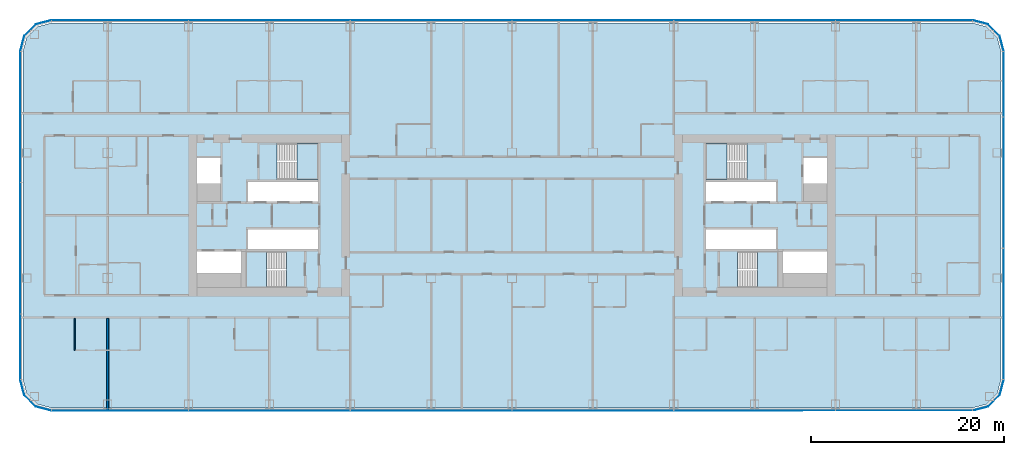
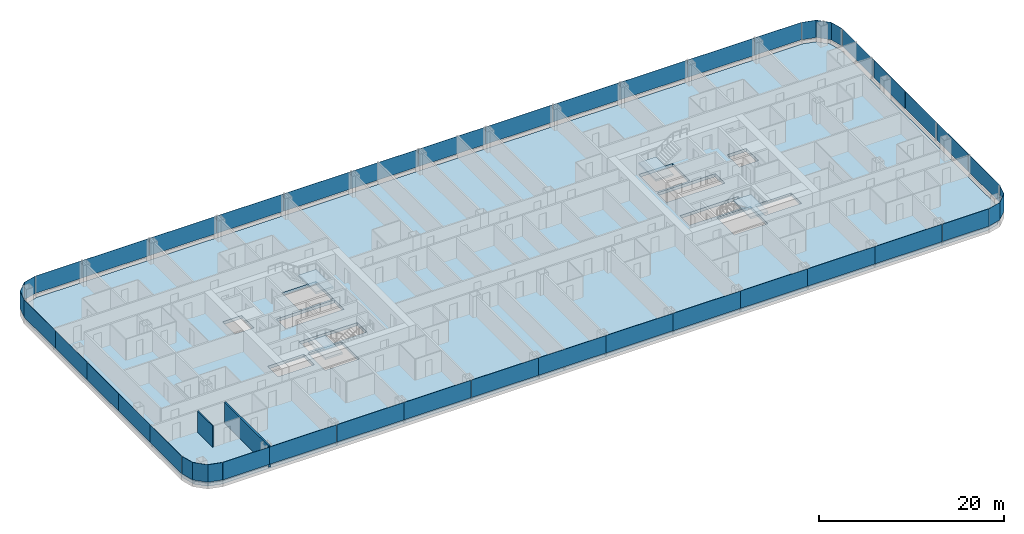
# One storey, part 12 of 28: 38 plates, 5 slabs, 2 walls, 12 elements without a shape of their own.
"""IFC4 building model written with IfcOpenShell, lengths in metres."""

import ifcopenshell
import ifcopenshell.guid

model = None  # the IFC model being written
_history = None  # IfcOwnerHistory: only IFC2X3 demands one
_inside = {}  # id of a spatial element -> (the spatial element, [elements in it])
_under = {}  # id of a project, library or spatial element -> (it, [spatial elements below it])
_declared = {}  # id of a project -> (the project, [libraries it declares])
_typed = {}  # id of a type object -> (the type object, [elements of that type])
_made_of = {}  # id of a material, layer set ... -> (it, [elements and type objects made of it])


def new_model(schema):
    """Start an empty IFC model of exactly this schema.

    Asked for "IFC4X3", IfcOpenShell would pick the latest addendum, in which some entities
    have other attributes; the version numbers below select the first issue.
    IFC2X3 requires an IfcOwnerHistory on every rooted entity: one is made here for all.
    """
    global model, _history
    if schema == "IFC4X3":
        model = ifcopenshell.file(schema_version=(4, 3, 0, 0))
    else:
        model = ifcopenshell.file(schema=schema)
    _inside.clear()
    _under.clear()
    _declared.clear()
    _typed.clear()
    _made_of.clear()
    _history = None
    if model.schema == "IFC2X3":
        org = make("IfcOrganization", Name="unknown")
        user = make(
            "IfcPersonAndOrganization",
            ThePerson=make("IfcPerson", FamilyName="unknown"),
            TheOrganization=org,
        )
        app = make(
            "IfcApplication",
            ApplicationDeveloper=org,
            Version="unknown",
            ApplicationFullName="unknown",
            ApplicationIdentifier="unknown",
        )
        _history = make(
            "IfcOwnerHistory",
            OwningUser=user,
            OwningApplication=app,
            ChangeAction="ADDED",
            CreationDate=0,
        )
    return model


def make(cls, **values):
    """One entity of the class cls with the attributes given. An attribute that is None is left unset."""
    return model.create_entity(
        cls, **{name: value for name, value in values.items() if value is not None}
    )


def rooted(cls, **values):
    """An entity with a GlobalId (a new one), such as an element, a storey or a relation."""
    return make(cls, GlobalId=ifcopenshell.guid.new(), OwnerHistory=_history, **values)


def si_unit(unit_type, name, prefix=None):
    """IfcSIUnit, for example si_unit("LENGTHUNIT", "METRE", prefix="MILLI")."""
    return make("IfcSIUnit", UnitType=unit_type, Prefix=prefix, Name=name)


def assignment(units):
    """IfcUnitAssignment: the units of a project."""
    return None if units is None else make("IfcUnitAssignment", Units=units)


def point(xyz):
    """IfcCartesianPoint."""
    return None if xyz is None else make("IfcCartesianPoint", Coordinates=xyz)


def direction(xyz):
    """IfcDirection."""
    return None if xyz is None else make("IfcDirection", DirectionRatios=xyz)


def frame(location, z_axis=None, x_axis=None):
    """IfcAxis2Placement3D, a coordinate frame: its origin and axes. An axis left out is left unset."""
    return make(
        "IfcAxis2Placement3D",
        Location=point(location),
        Axis=direction(z_axis),
        RefDirection=direction(x_axis),
    )


def frame_2d(location, x_axis=None):
    """IfcAxis2Placement2D, a coordinate frame in the plane: its origin and x axis."""
    return make(
        "IfcAxis2Placement2D", Location=point(location), RefDirection=direction(x_axis)
    )


def origin():
    """The frame at (0, 0, 0) with its axes left unset."""
    return frame((0.0, 0.0, 0.0))


def origin_2d():
    """The frame at (0, 0) in the plane with its x axis left unset."""
    return frame_2d((0.0, 0.0))


def place(relative_to, where):
    """IfcLocalPlacement: puts the frame where relative to a parent placement (None: the world)."""
    return make(
        "IfcLocalPlacement", PlacementRelTo=relative_to, RelativePlacement=where
    )


def context(
    kind, dimensions, precision=None, world=None, true_north=None, identifier=None
):
    """IfcGeometricRepresentationContext, for example the 3D "Model" context."""
    return make(
        "IfcGeometricRepresentationContext",
        ContextIdentifier=identifier,
        ContextType=kind,
        CoordinateSpaceDimension=dimensions,
        Precision=precision,
        WorldCoordinateSystem=world,
        TrueNorth=true_north,
    )


def subcontext(parent, identifier, kind, view, scale=None):
    """IfcGeometricRepresentationSubContext, for example "Body" below "Model"."""
    return make(
        "IfcGeometricRepresentationSubContext",
        ContextIdentifier=identifier,
        ContextType=kind,
        ParentContext=parent,
        TargetScale=scale,
        TargetView=view,
    )


def project(units=None, contexts=None):
    """IfcProject with its units and contexts."""
    return rooted(
        "IfcProject",
        Name="project",
        RepresentationContexts=contexts,
        UnitsInContext=assignment(units),
    )


def spatial(cls, under=None, at=None, **own):
    """A site, building, storey or space (cls), placed at a placement, below another one or the project."""
    s = rooted(cls, ObjectPlacement=at, **own)
    if under is not None:
        _under.setdefault(under.id(), (under, []))[1].append(s)
    return s


def polyline(points):
    """IfcPolyline through the points."""
    return make("IfcPolyline", Points=[point(p) for p in points])


def profile(cls, at=None, kind="AREA", **sizes):
    """A parametric profile (cls). Its sizes go by their IFC names, for example OverallWidth=200.0."""
    return make(cls, ProfileType=kind, Position=at, **sizes)


def rectangle(**sizes):
    """IfcRectangleProfileDef."""
    return profile("IfcRectangleProfileDef", **sizes)


def outline(outer, holes=None, kind="AREA"):
    """IfcArbitraryClosedProfileDef: a profile drawn as a closed curve; with holes, ...WithVoids."""
    if holes is None:
        return make("IfcArbitraryClosedProfileDef", ProfileType=kind, OuterCurve=outer)
    return make(
        "IfcArbitraryProfileDefWithVoids",
        ProfileType=kind,
        OuterCurve=outer,
        InnerCurves=holes,
    )


def extrude(swept, where, along, depth):
    """IfcExtrudedAreaSolid: the profile swept, set in the frame where, extruded along a direction by depth."""
    return make(
        "IfcExtrudedAreaSolid",
        SweptArea=swept,
        Position=where,
        ExtrudedDirection=direction(along),
        Depth=depth,
    )


def shape(context_of_items, identifier, shape_type, items):
    """IfcShapeRepresentation: the items that make up one representation, for example the "Body"."""
    return make(
        "IfcShapeRepresentation",
        ContextOfItems=context_of_items,
        RepresentationIdentifier=identifier,
        RepresentationType=shape_type,
        Items=items,
    )


def material(Name=None, Category=None):
    """IfcMaterial."""
    return make("IfcMaterial", Name=Name, Category=Category)


def layer(
    of_material, thickness, ventilated=None, Name=None, Category=None, Priority=None
):
    """IfcMaterialLayer: one layer of a wall or slab, of a material (None: an air gap)."""
    return make(
        "IfcMaterialLayer",
        Material=of_material,
        LayerThickness=thickness,
        IsVentilated=ventilated,
        Name=Name,
        Category=Category,
        Priority=Priority,
    )


def layer_set(layers, Name=None):
    """IfcMaterialLayerSet."""
    return make("IfcMaterialLayerSet", MaterialLayers=layers, LayerSetName=Name)


def made_of(thing, what):
    """Note that an element or type object is made of a material, layer set ...; save() writes the relation."""
    if what is not None:
        _made_of.setdefault(what.id(), (what, []))[1].append(thing)
    return thing


def type_object(cls, material=None, **own):
    """A type object (cls), such as IfcWallType, which elements share."""
    return made_of(rooted(cls, **own), material)


def element(
    cls,
    number,
    at=None,
    inside=None,
    cuts=None,
    type_object=None,
    material=None,
    context=None,
    identifier="Body",
    shape_type=None,
    held_by="IfcProductDefinitionShape",
    body=None,
    shapes=None,
    **own,
):
    """One element of the class cls, such as IfcWall. Its Tag is "e" and its number.

    at: its placement. inside: the storey or other place that contains it. cuts: it is an
    opening in that element (IfcRelVoidsElement). A single representation is given by context,
    identifier, shape_type and body (its items); several are given by shapes. held_by: the class
    of the entity that holds the representations. save() writes the other relations.
    """
    e = rooted(cls, Tag="e%d" % number, ObjectPlacement=at, **own)
    if body is not None:
        shapes = [shape(context, identifier, shape_type, body)]
    if shapes is not None:
        e.Representation = make(held_by, Representations=shapes)
    if inside is not None:
        _inside.setdefault(inside.id(), (inside, []))[1].append(e)
    if cuts is not None:
        rooted(
            "IfcRelVoidsElement", RelatingBuildingElement=cuts, RelatedOpeningElement=e
        )
    if type_object is not None:
        _typed.setdefault(type_object.id(), (type_object, []))[1].append(e)
    return made_of(e, material)


def aggregate(whole, parts):
    """IfcRelAggregates: a whole, such as a stair, and the parts it consists of."""
    return rooted("IfcRelAggregates", RelatingObject=whole, RelatedObjects=parts)


def save(model, path):
    """Write the relations noted so far, then the file.

    IfcRelAggregates (storeys below a building ...), IfcRelContainedInSpatialStructure (elements
    in a storey), IfcRelDefinesByType, IfcRelAssociatesMaterial and IfcRelDeclares: one each for
    every whole, place, type object, material and project.
    """
    for whole, parts in _under.values():
        aggregate(whole, parts)
    for where, things in _inside.values():
        rooted(
            "IfcRelContainedInSpatialStructure",
            RelatedElements=things,
            RelatingStructure=where,
        )
    for kind, things in _typed.values():
        rooted("IfcRelDefinesByType", RelatedObjects=things, RelatingType=kind)
    for what, things in _made_of.values():
        rooted("IfcRelAssociatesMaterial", RelatedObjects=things, RelatingMaterial=what)
    for by, libraries in _declared.values():
        rooted("IfcRelDeclares", RelatingContext=by, RelatedDefinitions=libraries)
    model.write(path)


model = new_model("IFC4")

# Units and contexts
model_context = context("Model", 3, precision=1e-05, world=origin(), true_north=direction((0.0, 1.0)))
body_context = subcontext(model_context, "Body", "Model", "MODEL_VIEW")
ifc_project = project(units=[si_unit("LENGTHUNIT", "METRE"), si_unit("AREAUNIT", "SQUARE_METRE"), si_unit("VOLUMEUNIT", "CUBIC_METRE"), si_unit("PLANEANGLEUNIT", "RADIAN"), si_unit("MASSUNIT", "GRAM", prefix="KILO")], contexts=[model_context])

# Site, building, storey
site_placement = place(None, origin())
site = spatial("IfcSite", under=ifc_project, at=site_placement, CompositionType="ELEMENT")
building_placement = place(site_placement, origin())
building = spatial("IfcBuilding", under=site, at=building_placement, Name="Hakoniwa Tower and Hamabe Station Hall", CompositionType="ELEMENT")
storey_placement = place(building_placement, frame((0.0, 0.0, 35.800048828125)))
storey = spatial("IfcBuildingStorey", under=building, at=storey_placement, Name="L09", CompositionType="ELEMENT", Elevation=35.800048828125)

# Stair, slab
ifc_material_1 = material(Name="Concrete C40", Category="concrete")
stair_type = type_object("IfcStairType", Name="ESCAPE STAIR 1800", PredefinedType="HALF_TURN_STAIR", material=ifc_material_1)
stair_1_placement = place(storey_placement, origin())
stair_1 = element("IfcStair", 1, at=stair_1_placement, inside=storey, type_object=stair_type, Name="Escape stair ST-1 L09", PredefinedType="HALF_TURN_STAIR")
ifc_material_2 = material(Name="Concrete C40", Category="concrete")
ifc_layer_1 = layer(ifc_material_2, 0.25)
ifc_layer_set_1 = layer_set([ifc_layer_1], Name="CORE STAIR LANDING 250")
slab_type_1 = type_object("IfcSlabType", Name="CORE STAIR LANDING 250", PredefinedType="LANDING", material=ifc_layer_set_1)
slab_1_placement = place(storey_placement, frame((0.0, 0.0, 1.349853515625)))
slab_1 = element("IfcSlab", 2, at=slab_1_placement, type_object=slab_type_1, Name="ST-1 landing 1", PredefinedType="LANDING", context=body_context, shape_type="SweptSolid", body=[
    extrude(outline(polyline([(-22.320068359375, 3.75), (-20.14990234375, 3.75), (-20.14990234375, 7.5), (-22.320068359375, 7.5), (-22.320068359375, 3.75)])), origin(), (0.0, 0.0, 1.0), 0.25),
])
aggregate(stair_1, [slab_1])

stair_2_placement = place(storey_placement, origin())
stair_2 = element("IfcStair", 3, at=stair_2_placement, inside=storey, type_object=stair_type, Name="Escape stair ST-2 L09", PredefinedType="HALF_TURN_STAIR")
slab_2_placement = place(storey_placement, frame((0.0, 0.0, 1.349853515625)))
slab_2 = element("IfcSlab", 4, at=slab_2_placement, type_object=slab_type_1, Name="ST-2 landing 1", PredefinedType="LANDING", context=body_context, shape_type="SweptSolid", body=[
    extrude(outline(polyline([(-25.47998046875, -7.5), (-27.64990234375, -7.5), (-27.64990234375, -3.75), (-25.47998046875, -3.75), (-25.47998046875, -7.5)])), origin(), (0.0, 0.0, 1.0), 0.25),
])
aggregate(stair_2, [slab_2])

stair_3_placement = place(storey_placement, origin())
stair_3 = element("IfcStair", 5, at=stair_3_placement, inside=storey, type_object=stair_type, Name="Escape stair ST-3 L09", PredefinedType="HALF_TURN_STAIR")
slab_3_placement = place(storey_placement, frame((0.0, 0.0, 1.349853515625)))
slab_3 = element("IfcSlab", 6, at=slab_3_placement, type_object=slab_type_1, Name="ST-3 landing 1", PredefinedType="LANDING", context=body_context, shape_type="SweptSolid", body=[
    extrude(outline(polyline([(22.320068359375, 3.75), (20.14990234375, 3.75), (20.14990234375, 7.5), (22.320068359375, 7.5), (22.320068359375, 3.75)])), origin(), (0.0, 0.0, 1.0), 0.25),
])
aggregate(stair_3, [slab_3])

stair_4_placement = place(storey_placement, origin())
stair_4 = element("IfcStair", 7, at=stair_4_placement, inside=storey, type_object=stair_type, Name="Escape stair ST-4 L09", PredefinedType="HALF_TURN_STAIR")
slab_4_placement = place(storey_placement, frame((0.0, 0.0, 1.349853515625)))
slab_4 = element("IfcSlab", 8, at=slab_4_placement, type_object=slab_type_1, Name="ST-4 landing 1", PredefinedType="LANDING", context=body_context, shape_type="SweptSolid", body=[
    extrude(outline(polyline([(25.47998046875, -7.5), (27.64990234375, -7.5), (27.64990234375, -3.75), (25.47998046875, -3.75), (25.47998046875, -7.5)])), origin(), (0.0, 0.0, 1.0), 0.25),
])
aggregate(stair_4, [slab_4])

# Curtain wall, plates
ifc_material_3 = material(Name="Dark low-e laminated glass", Category="glass")
ifc_layer_2 = layer(ifc_material_3, 0.199951171875)
ifc_layer_set_2 = layer_set([ifc_layer_2], Name="CW-1 UNITISED GUEST")
curtain_wall_type = type_object("IfcCurtainWallType", Name="CW-1 UNITISED GUEST", PredefinedType="NOTDEFINED", material=ifc_layer_set_2)
curtain_wall_1_placement = place(storey_placement, origin())
curtain_wall_1 = element("IfcCurtainWall", 9, at=curtain_wall_1_placement, inside=storey, type_object=curtain_wall_type, Name="CW-1 curtain wall", PredefinedType="NOTDEFINED")
ifc_material_4 = material(Name="Dark low-e laminated glass", Category="glass")
ifc_layer_3 = layer(ifc_material_4, 0.028076171875)
ifc_layer_set_3 = layer_set([ifc_layer_3], Name="CW-1 GLASS UNIT")
plate_type = type_object("IfcPlateType", Name="CW-1 GLASS UNIT", PredefinedType="CURTAIN_PANEL", material=ifc_layer_set_3)
plate_1_placement = place(storey_placement, frame((51.0859375, -13.631591796875, 0.35009765625), z_axis=(0.0, 0.0, 1.0), x_axis=(0.0, 1.0, 0.0)))
plate_1 = element("IfcPlate", 10, at=plate_1_placement, type_object=plate_type, Name="CW-1 glass unit", PredefinedType="CURTAIN_PANEL", context=body_context, shape_type="SweptSolid", body=[
    extrude(rectangle(XDim=6.7958984375, YDim=0.028076171875, at=origin_2d()), origin(), (0.0, 0.0, 1.0), 2.300048828125),
])
plate_2_placement = place(storey_placement, frame((51.0859375, -6.81591796875, 0.35009765625), z_axis=(0.0, 0.0, 1.0), x_axis=(0.0, 1.0, 0.0)))
plate_2 = element("IfcPlate", 11, at=plate_2_placement, type_object=plate_type, Name="CW-1 glass unit", PredefinedType="CURTAIN_PANEL", context=body_context, shape_type="SweptSolid", body=[
    extrude(rectangle(XDim=6.7958984375, YDim=0.028076171875, at=origin_2d()), origin(), (0.0, 0.0, 1.0), 2.300048828125),
])
plate_3_placement = place(storey_placement, frame((51.0859375, 0.0, 0.35009765625), z_axis=(0.0, 0.0, 1.0), x_axis=(0.0, 1.0, 0.0)))
plate_3 = element("IfcPlate", 12, at=plate_3_placement, type_object=plate_type, Name="CW-1 glass unit", PredefinedType="CURTAIN_PANEL", context=body_context, shape_type="SweptSolid", body=[
    extrude(rectangle(XDim=6.7958984375, YDim=0.028076171875, at=origin_2d()), origin(), (0.0, 0.0, 1.0), 2.300048828125),
])
plate_4_placement = place(storey_placement, frame((51.0859375, 6.81591796875, 0.35009765625), z_axis=(0.0, 0.0, 1.0), x_axis=(0.0, 1.0, 0.0)))
plate_4 = element("IfcPlate", 13, at=plate_4_placement, type_object=plate_type, Name="CW-1 glass unit", PredefinedType="CURTAIN_PANEL", context=body_context, shape_type="SweptSolid", body=[
    extrude(rectangle(XDim=6.7958984375, YDim=0.028076171875, at=origin_2d()), origin(), (0.0, 0.0, 1.0), 2.300048828125),
])
plate_5_placement = place(storey_placement, frame((51.0859375, 13.631591796875, 0.35009765625), z_axis=(0.0, 0.0, 1.0), x_axis=(0.0, 1.0, 0.0)))
plate_5 = element("IfcPlate", 14, at=plate_5_placement, type_object=plate_type, Name="CW-1 glass unit", PredefinedType="CURTAIN_PANEL", context=body_context, shape_type="SweptSolid", body=[
    extrude(rectangle(XDim=6.7958984375, YDim=0.028076171875, at=origin_2d()), origin(), (0.0, 0.0, 1.0), 2.300048828125),
])
aggregate(curtain_wall_1, [plate_1, plate_2, plate_3, plate_4, plate_5])

# Curtain wall, plate
curtain_wall_2_placement = place(storey_placement, origin())
curtain_wall_2 = element("IfcCurtainWall", 15, at=curtain_wall_2_placement, inside=storey, type_object=curtain_wall_type, Name="CW-1 curtain wall", PredefinedType="NOTDEFINED")
plate_6_placement = place(storey_placement, frame((0.0, 0.0, 0.349853515625)))
plate_6 = element("IfcPlate", 16, at=plate_6_placement, type_object=plate_type, Name="CW-1 curved corner unit", PredefinedType="CURTAIN_PANEL", context=body_context, shape_type="SweptSolid", body=[
    extrude(outline(polyline([(51.089599609375, 17.078125), (50.6669921875, 18.6552734375), (49.455322265625, 19.866943359375), (47.878173828125, 20.28955078125), (47.870849609375, 20.2626953125), (49.44091796875, 19.842041015625), (50.641845703125, 18.640869140625), (51.0625, 17.07080078125), (51.089599609375, 17.078125)])), origin(), (0.0, 0.0, 1.0), 2.300048828125),
])
aggregate(curtain_wall_2, [plate_6])

# Curtain wall, plates
curtain_wall_3_placement = place(storey_placement, origin())
curtain_wall_3 = element("IfcCurtainWall", 17, at=curtain_wall_3_placement, inside=storey, type_object=curtain_wall_type, Name="CW-1 curtain wall", PredefinedType="NOTDEFINED")
plate_7_placement = place(storey_placement, frame((44.919677734375, 20.285888671875, 0.35009765625), z_axis=(0.0, 0.0, 1.0), x_axis=(-1.0, 0.0, 0.0)))
plate_7 = element("IfcPlate", 18, at=plate_7_placement, type_object=plate_type, Name="CW-1 glass unit", PredefinedType="CURTAIN_PANEL", context=body_context, shape_type="SweptSolid", body=[
    extrude(rectangle(XDim=5.819580078125, YDim=0.028076171875, at=origin_2d()), origin(), (0.0, 0.0, 1.0), 2.300048828125),
])
plate_8_placement = place(storey_placement, frame((37.800048828125, 20.285888671875, 0.35009765625), z_axis=(0.0, 0.0, 1.0), x_axis=(-1.0, 0.0, 0.0)))
plate_8 = element("IfcPlate", 19, at=plate_8_placement, type_object=plate_type, Name="CW-1 glass unit", PredefinedType="CURTAIN_PANEL", context=body_context, shape_type="SweptSolid", body=[
    extrude(rectangle(XDim=8.3798828125, YDim=0.028076171875, at=origin_2d()), origin(), (0.0, 0.0, 1.0), 2.300048828125),
])
plate_9_placement = place(storey_placement, frame((29.39990234375, 20.285888671875, 0.35009765625), z_axis=(0.0, 0.0, 1.0), x_axis=(-1.0, 0.0, 0.0)))
plate_9 = element("IfcPlate", 20, at=plate_9_placement, type_object=plate_type, Name="CW-1 glass unit", PredefinedType="CURTAIN_PANEL", context=body_context, shape_type="SweptSolid", body=[
    extrude(rectangle(XDim=8.3798828125, YDim=0.028076171875, at=origin_2d()), origin(), (0.0, 0.0, 1.0), 2.300048828125),
])
plate_10_placement = place(storey_placement, frame((21.0, 20.285888671875, 0.35009765625), z_axis=(0.0, 0.0, 1.0), x_axis=(-1.0, 0.0, 0.0)))
plate_10 = element("IfcPlate", 21, at=plate_10_placement, type_object=plate_type, Name="CW-1 glass unit", PredefinedType="CURTAIN_PANEL", context=body_context, shape_type="SweptSolid", body=[
    extrude(rectangle(XDim=8.3798828125, YDim=0.028076171875, at=origin_2d()), origin(), (0.0, 0.0, 1.0), 2.300048828125),
])
plate_11_placement = place(storey_placement, frame((12.60009765625, 20.285888671875, 0.35009765625), z_axis=(0.0, 0.0, 1.0), x_axis=(-1.0, 0.0, 0.0)))
plate_11 = element("IfcPlate", 22, at=plate_11_placement, type_object=plate_type, Name="CW-1 glass unit", PredefinedType="CURTAIN_PANEL", context=body_context, shape_type="SweptSolid", body=[
    extrude(rectangle(XDim=8.3798828125, YDim=0.028076171875, at=origin_2d()), origin(), (0.0, 0.0, 1.0), 2.300048828125),
])
plate_12_placement = place(storey_placement, frame((4.199951171875, 20.285888671875, 0.35009765625), z_axis=(0.0, 0.0, 1.0), x_axis=(-1.0, 0.0, 0.0)))
plate_12 = element("IfcPlate", 23, at=plate_12_placement, type_object=plate_type, Name="CW-1 glass unit", PredefinedType="CURTAIN_PANEL", context=body_context, shape_type="SweptSolid", body=[
    extrude(rectangle(XDim=8.3798828125, YDim=0.028076171875, at=origin_2d()), origin(), (0.0, 0.0, 1.0), 2.300048828125),
])
plate_13_placement = place(storey_placement, frame((-4.199951171875, 20.285888671875, 0.35009765625), z_axis=(0.0, 0.0, 1.0), x_axis=(-1.0, 0.0, 0.0)))
plate_13 = element("IfcPlate", 24, at=plate_13_placement, type_object=plate_type, Name="CW-1 glass unit", PredefinedType="CURTAIN_PANEL", context=body_context, shape_type="SweptSolid", body=[
    extrude(rectangle(XDim=8.3798828125, YDim=0.028076171875, at=origin_2d()), origin(), (0.0, 0.0, 1.0), 2.300048828125),
])
plate_14_placement = place(storey_placement, frame((-12.60009765625, 20.285888671875, 0.35009765625), z_axis=(0.0, 0.0, 1.0), x_axis=(-1.0, 0.0, 0.0)))
plate_14 = element("IfcPlate", 25, at=plate_14_placement, type_object=plate_type, Name="CW-1 glass unit", PredefinedType="CURTAIN_PANEL", context=body_context, shape_type="SweptSolid", body=[
    extrude(rectangle(XDim=8.3798828125, YDim=0.028076171875, at=origin_2d()), origin(), (0.0, 0.0, 1.0), 2.300048828125),
])
plate_15_placement = place(storey_placement, frame((-21.0, 20.285888671875, 0.35009765625), z_axis=(0.0, 0.0, 1.0), x_axis=(-1.0, 0.0, 0.0)))
plate_15 = element("IfcPlate", 26, at=plate_15_placement, type_object=plate_type, Name="CW-1 glass unit", PredefinedType="CURTAIN_PANEL", context=body_context, shape_type="SweptSolid", body=[
    extrude(rectangle(XDim=8.3798828125, YDim=0.028076171875, at=origin_2d()), origin(), (0.0, 0.0, 1.0), 2.300048828125),
])
plate_16_placement = place(storey_placement, frame((-29.39990234375, 20.285888671875, 0.35009765625), z_axis=(0.0, 0.0, 1.0), x_axis=(-1.0, 0.0, 0.0)))
plate_16 = element("IfcPlate", 27, at=plate_16_placement, type_object=plate_type, Name="CW-1 glass unit", PredefinedType="CURTAIN_PANEL", context=body_context, shape_type="SweptSolid", body=[
    extrude(rectangle(XDim=8.3798828125, YDim=0.028076171875, at=origin_2d()), origin(), (0.0, 0.0, 1.0), 2.300048828125),
])
plate_17_placement = place(storey_placement, frame((-37.800048828125, 20.285888671875, 0.35009765625), z_axis=(0.0, 0.0, 1.0), x_axis=(-1.0, 0.0, 0.0)))
plate_17 = element("IfcPlate", 28, at=plate_17_placement, type_object=plate_type, Name="CW-1 glass unit", PredefinedType="CURTAIN_PANEL", context=body_context, shape_type="SweptSolid", body=[
    extrude(rectangle(XDim=8.3798828125, YDim=0.028076171875, at=origin_2d()), origin(), (0.0, 0.0, 1.0), 2.300048828125),
])
plate_18_placement = place(storey_placement, frame((-44.919677734375, 20.285888671875, 0.35009765625), z_axis=(0.0, 0.0, 1.0), x_axis=(-1.0, 0.0, 0.0)))
plate_18 = element("IfcPlate", 29, at=plate_18_placement, type_object=plate_type, Name="CW-1 glass unit", PredefinedType="CURTAIN_PANEL", context=body_context, shape_type="SweptSolid", body=[
    extrude(rectangle(XDim=5.819580078125, YDim=0.028076171875, at=origin_2d()), origin(), (0.0, 0.0, 1.0), 2.300048828125),
])
aggregate(curtain_wall_3, [plate_7, plate_8, plate_9, plate_10, plate_11, plate_12, plate_13, plate_14, plate_15, plate_16, plate_17, plate_18])

# Curtain wall, plate
curtain_wall_4_placement = place(storey_placement, origin())
curtain_wall_4 = element("IfcCurtainWall", 30, at=curtain_wall_4_placement, inside=storey, type_object=curtain_wall_type, Name="CW-1 curtain wall", PredefinedType="NOTDEFINED")
plate_19_placement = place(storey_placement, frame((0.0, 0.0, 0.349853515625)))
plate_19 = element("IfcPlate", 31, at=plate_19_placement, type_object=plate_type, Name="CW-1 curved corner unit", PredefinedType="CURTAIN_PANEL", context=body_context, shape_type="SweptSolid", body=[
    extrude(outline(polyline([(-47.878173828125, 20.28955078125), (-49.455322265625, 19.866943359375), (-50.6669921875, 18.6552734375), (-51.089599609375, 17.078125), (-51.0625, 17.07080078125), (-50.641845703125, 18.640869140625), (-49.44091796875, 19.842041015625), (-47.870849609375, 20.2626953125), (-47.878173828125, 20.28955078125)])), origin(), (0.0, 0.0, 1.0), 2.300048828125),
])
aggregate(curtain_wall_4, [plate_19])

# Curtain wall, plates
curtain_wall_5_placement = place(storey_placement, origin())
curtain_wall_5 = element("IfcCurtainWall", 32, at=curtain_wall_5_placement, inside=storey, type_object=curtain_wall_type, Name="CW-1 curtain wall", PredefinedType="NOTDEFINED")
plate_20_placement = place(storey_placement, frame((-51.0859375, 13.631591796875, 0.35009765625), z_axis=(0.0, 0.0, 1.0), x_axis=(0.0, -1.0, 0.0)))
plate_20 = element("IfcPlate", 33, at=plate_20_placement, type_object=plate_type, Name="CW-1 glass unit", PredefinedType="CURTAIN_PANEL", context=body_context, shape_type="SweptSolid", body=[
    extrude(rectangle(XDim=6.7958984375, YDim=0.028076171875, at=origin_2d()), origin(), (0.0, 0.0, 1.0), 2.300048828125),
])
plate_21_placement = place(storey_placement, frame((-51.0859375, 6.81591796875, 0.35009765625), z_axis=(0.0, 0.0, 1.0), x_axis=(0.0, -1.0, 0.0)))
plate_21 = element("IfcPlate", 34, at=plate_21_placement, type_object=plate_type, Name="CW-1 glass unit", PredefinedType="CURTAIN_PANEL", context=body_context, shape_type="SweptSolid", body=[
    extrude(rectangle(XDim=6.7958984375, YDim=0.028076171875, at=origin_2d()), origin(), (0.0, 0.0, 1.0), 2.300048828125),
])
plate_22_placement = place(storey_placement, frame((-51.0859375, 0.0, 0.35009765625), z_axis=(0.0, 0.0, 1.0), x_axis=(0.0, -1.0, 0.0)))
plate_22 = element("IfcPlate", 35, at=plate_22_placement, type_object=plate_type, Name="CW-1 glass unit", PredefinedType="CURTAIN_PANEL", context=body_context, shape_type="SweptSolid", body=[
    extrude(rectangle(XDim=6.7958984375, YDim=0.028076171875, at=origin_2d()), origin(), (0.0, 0.0, 1.0), 2.300048828125),
])
plate_23_placement = place(storey_placement, frame((-51.0859375, -6.81591796875, 0.35009765625), z_axis=(0.0, 0.0, 1.0), x_axis=(0.0, -1.0, 0.0)))
plate_23 = element("IfcPlate", 36, at=plate_23_placement, type_object=plate_type, Name="CW-1 glass unit", PredefinedType="CURTAIN_PANEL", context=body_context, shape_type="SweptSolid", body=[
    extrude(rectangle(XDim=6.7958984375, YDim=0.028076171875, at=origin_2d()), origin(), (0.0, 0.0, 1.0), 2.300048828125),
])
plate_24_placement = place(storey_placement, frame((-51.0859375, -13.631591796875, 0.35009765625), z_axis=(0.0, 0.0, 1.0), x_axis=(0.0, -1.0, 0.0)))
plate_24 = element("IfcPlate", 37, at=plate_24_placement, type_object=plate_type, Name="CW-1 glass unit", PredefinedType="CURTAIN_PANEL", context=body_context, shape_type="SweptSolid", body=[
    extrude(rectangle(XDim=6.7958984375, YDim=0.028076171875, at=origin_2d()), origin(), (0.0, 0.0, 1.0), 2.300048828125),
])
aggregate(curtain_wall_5, [plate_20, plate_21, plate_22, plate_23, plate_24])

# Curtain wall, plate
curtain_wall_6_placement = place(storey_placement, origin())
curtain_wall_6 = element("IfcCurtainWall", 38, at=curtain_wall_6_placement, inside=storey, type_object=curtain_wall_type, Name="CW-1 curtain wall", PredefinedType="NOTDEFINED")
plate_25_placement = place(storey_placement, frame((0.0, 0.0, 0.349853515625)))
plate_25 = element("IfcPlate", 39, at=plate_25_placement, type_object=plate_type, Name="CW-1 curved corner unit", PredefinedType="CURTAIN_PANEL", context=body_context, shape_type="SweptSolid", body=[
    extrude(outline(polyline([(-51.089599609375, -17.078125), (-50.6669921875, -18.6552734375), (-49.455322265625, -19.866943359375), (-47.878173828125, -20.28955078125), (-47.870849609375, -20.2626953125), (-49.44091796875, -19.842041015625), (-50.641845703125, -18.640869140625), (-51.0625, -17.07080078125), (-51.089599609375, -17.078125)])), origin(), (0.0, 0.0, 1.0), 2.300048828125),
])
aggregate(curtain_wall_6, [plate_25])

# Curtain wall, plates
curtain_wall_7_placement = place(storey_placement, origin())
curtain_wall_7 = element("IfcCurtainWall", 40, at=curtain_wall_7_placement, inside=storey, type_object=curtain_wall_type, Name="CW-1 curtain wall", PredefinedType="NOTDEFINED")
plate_26_placement = place(storey_placement, frame((-44.919677734375, -20.285888671875, 0.35009765625), z_axis=(0.0, 0.0, 1.0), x_axis=(1.0, 0.0, 0.0)))
plate_26 = element("IfcPlate", 41, at=plate_26_placement, type_object=plate_type, Name="CW-1 glass unit", PredefinedType="CURTAIN_PANEL", context=body_context, shape_type="SweptSolid", body=[
    extrude(rectangle(XDim=5.819580078125, YDim=0.028076171875, at=origin_2d()), origin(), (0.0, 0.0, 1.0), 2.300048828125),
])
plate_27_placement = place(storey_placement, frame((-37.800048828125, -20.285888671875, 0.35009765625), z_axis=(0.0, 0.0, 1.0), x_axis=(1.0, 0.0, 0.0)))
plate_27 = element("IfcPlate", 42, at=plate_27_placement, type_object=plate_type, Name="CW-1 glass unit", PredefinedType="CURTAIN_PANEL", context=body_context, shape_type="SweptSolid", body=[
    extrude(rectangle(XDim=8.3798828125, YDim=0.028076171875, at=origin_2d()), origin(), (0.0, 0.0, 1.0), 2.300048828125),
])
plate_28_placement = place(storey_placement, frame((-29.39990234375, -20.285888671875, 0.35009765625), z_axis=(0.0, 0.0, 1.0), x_axis=(1.0, 0.0, 0.0)))
plate_28 = element("IfcPlate", 43, at=plate_28_placement, type_object=plate_type, Name="CW-1 glass unit", PredefinedType="CURTAIN_PANEL", context=body_context, shape_type="SweptSolid", body=[
    extrude(rectangle(XDim=8.3798828125, YDim=0.028076171875, at=origin_2d()), origin(), (0.0, 0.0, 1.0), 2.300048828125),
])
plate_29_placement = place(storey_placement, frame((-21.0, -20.285888671875, 0.35009765625), z_axis=(0.0, 0.0, 1.0), x_axis=(1.0, 0.0, 0.0)))
plate_29 = element("IfcPlate", 44, at=plate_29_placement, type_object=plate_type, Name="CW-1 glass unit", PredefinedType="CURTAIN_PANEL", context=body_context, shape_type="SweptSolid", body=[
    extrude(rectangle(XDim=8.3798828125, YDim=0.028076171875, at=origin_2d()), origin(), (0.0, 0.0, 1.0), 2.300048828125),
])
plate_30_placement = place(storey_placement, frame((-12.60009765625, -20.285888671875, 0.35009765625), z_axis=(0.0, 0.0, 1.0), x_axis=(1.0, 0.0, 0.0)))
plate_30 = element("IfcPlate", 45, at=plate_30_placement, type_object=plate_type, Name="CW-1 glass unit", PredefinedType="CURTAIN_PANEL", context=body_context, shape_type="SweptSolid", body=[
    extrude(rectangle(XDim=8.3798828125, YDim=0.028076171875, at=origin_2d()), origin(), (0.0, 0.0, 1.0), 2.300048828125),
])
plate_31_placement = place(storey_placement, frame((-4.199951171875, -20.285888671875, 0.35009765625), z_axis=(0.0, 0.0, 1.0), x_axis=(1.0, 0.0, 0.0)))
plate_31 = element("IfcPlate", 46, at=plate_31_placement, type_object=plate_type, Name="CW-1 glass unit", PredefinedType="CURTAIN_PANEL", context=body_context, shape_type="SweptSolid", body=[
    extrude(rectangle(XDim=8.3798828125, YDim=0.028076171875, at=origin_2d()), origin(), (0.0, 0.0, 1.0), 2.300048828125),
])
plate_32_placement = place(storey_placement, frame((4.199951171875, -20.285888671875, 0.35009765625), z_axis=(0.0, 0.0, 1.0), x_axis=(1.0, 0.0, 0.0)))
plate_32 = element("IfcPlate", 47, at=plate_32_placement, type_object=plate_type, Name="CW-1 glass unit", PredefinedType="CURTAIN_PANEL", context=body_context, shape_type="SweptSolid", body=[
    extrude(rectangle(XDim=8.3798828125, YDim=0.028076171875, at=origin_2d()), origin(), (0.0, 0.0, 1.0), 2.300048828125),
])
plate_33_placement = place(storey_placement, frame((12.60009765625, -20.285888671875, 0.35009765625), z_axis=(0.0, 0.0, 1.0), x_axis=(1.0, 0.0, 0.0)))
plate_33 = element("IfcPlate", 48, at=plate_33_placement, type_object=plate_type, Name="CW-1 glass unit", PredefinedType="CURTAIN_PANEL", context=body_context, shape_type="SweptSolid", body=[
    extrude(rectangle(XDim=8.3798828125, YDim=0.028076171875, at=origin_2d()), origin(), (0.0, 0.0, 1.0), 2.300048828125),
])
plate_34_placement = place(storey_placement, frame((21.0, -20.285888671875, 0.35009765625), z_axis=(0.0, 0.0, 1.0), x_axis=(1.0, 0.0, 0.0)))
plate_34 = element("IfcPlate", 49, at=plate_34_placement, type_object=plate_type, Name="CW-1 glass unit", PredefinedType="CURTAIN_PANEL", context=body_context, shape_type="SweptSolid", body=[
    extrude(rectangle(XDim=8.3798828125, YDim=0.028076171875, at=origin_2d()), origin(), (0.0, 0.0, 1.0), 2.300048828125),
])
plate_35_placement = place(storey_placement, frame((29.39990234375, -20.285888671875, 0.35009765625), z_axis=(0.0, 0.0, 1.0), x_axis=(1.0, 0.0, 0.0)))
plate_35 = element("IfcPlate", 50, at=plate_35_placement, type_object=plate_type, Name="CW-1 glass unit", PredefinedType="CURTAIN_PANEL", context=body_context, shape_type="SweptSolid", body=[
    extrude(rectangle(XDim=8.3798828125, YDim=0.028076171875, at=origin_2d()), origin(), (0.0, 0.0, 1.0), 2.300048828125),
])
plate_36_placement = place(storey_placement, frame((37.800048828125, -20.285888671875, 0.35009765625), z_axis=(0.0, 0.0, 1.0), x_axis=(1.0, 0.0, 0.0)))
plate_36 = element("IfcPlate", 51, at=plate_36_placement, type_object=plate_type, Name="CW-1 glass unit", PredefinedType="CURTAIN_PANEL", context=body_context, shape_type="SweptSolid", body=[
    extrude(rectangle(XDim=8.3798828125, YDim=0.028076171875, at=origin_2d()), origin(), (0.0, 0.0, 1.0), 2.300048828125),
])
plate_37_placement = place(storey_placement, frame((44.919677734375, -20.285888671875, 0.35009765625), z_axis=(0.0, 0.0, 1.0), x_axis=(1.0, 0.0, 0.0)))
plate_37 = element("IfcPlate", 52, at=plate_37_placement, type_object=plate_type, Name="CW-1 glass unit", PredefinedType="CURTAIN_PANEL", context=body_context, shape_type="SweptSolid", body=[
    extrude(rectangle(XDim=5.819580078125, YDim=0.028076171875, at=origin_2d()), origin(), (0.0, 0.0, 1.0), 2.300048828125),
])
aggregate(curtain_wall_7, [plate_26, plate_27, plate_28, plate_29, plate_30, plate_31, plate_32, plate_33, plate_34, plate_35, plate_36, plate_37])

# Curtain wall, plate
curtain_wall_8_placement = place(storey_placement, origin())
curtain_wall_8 = element("IfcCurtainWall", 53, at=curtain_wall_8_placement, inside=storey, type_object=curtain_wall_type, Name="CW-1 curtain wall", PredefinedType="NOTDEFINED")
plate_38_placement = place(storey_placement, frame((0.0, 0.0, 0.349853515625)))
plate_38 = element("IfcPlate", 54, at=plate_38_placement, type_object=plate_type, Name="CW-1 curved corner unit", PredefinedType="CURTAIN_PANEL", context=body_context, shape_type="SweptSolid", body=[
    extrude(outline(polyline([(47.878173828125, -20.28955078125), (49.455322265625, -19.866943359375), (50.6669921875, -18.6552734375), (51.089599609375, -17.078125), (51.0625, -17.07080078125), (50.641845703125, -18.640869140625), (49.44091796875, -19.842041015625), (47.870849609375, -20.2626953125), (47.878173828125, -20.28955078125)])), origin(), (0.0, 0.0, 1.0), 2.300048828125),
])
aggregate(curtain_wall_8, [plate_38])

# Slab
ifc_material_5 = material(Name="Concrete C42", Category="concrete")
ifc_layer_4 = layer(ifc_material_5, 0.39990234375)
ifc_layer_set_4 = layer_set([ifc_layer_4], Name="PT FLAT PLATE 400")
slab_type_2 = type_object("IfcSlabType", Name="PT FLAT PLATE 400", PredefinedType="FLOOR", material=ifc_layer_set_4)
slab_5_placement = place(storey_placement, frame((0.0, 0.0, -0.400146484375)))
element("IfcSlab", 55, at=slab_5_placement, inside=storey, type_object=slab_type_2, Name="Floor slab L09", PredefinedType="FLOOR", context=body_context, shape_type="SweptSolid", body=[
    extrude(outline(polyline([(50.800048828125, -17.0), (50.800048828125, 17.0), (50.398193359375, 18.5), (49.300048828125, 19.59814453125), (47.800048828125, 20.0), (-47.800048828125, 20.0), (-49.300048828125, 19.59814453125), (-50.398193359375, 18.5), (-50.800048828125, 17.0), (-50.800048828125, -17.0), (-50.398193359375, -18.5), (-49.300048828125, -19.59814453125), (-47.800048828125, -20.0), (47.800048828125, -20.0), (49.300048828125, -19.59814453125), (50.398193359375, -18.5), (50.800048828125, -17.0)]), holes=[polyline([(-27.39990234375, 1.449951171875), (-27.39990234375, 3.5), (-20.14990234375, 3.5), (-20.14990234375, 1.449951171875), (-27.39990234375, 1.449951171875)]), polyline([(-27.39990234375, -3.5), (-27.39990234375, -1.449951171875), (-20.14990234375, -1.449951171875), (-20.14990234375, -3.5), (-27.39990234375, -3.5)]), polyline([(-32.699951171875, 3.300048828125), (-32.699951171875, 5.949951171875), (-30.300048828125, 5.949951171875), (-30.300048828125, 3.300048828125), (-32.699951171875, 3.300048828125)]), polyline([(-32.699951171875, -6.0), (-32.699951171875, -3.75), (-28.14990234375, -3.75), (-28.14990234375, -6.0), (-32.699951171875, -6.0)]), polyline([(-24.389892578125, 3.75), (-24.389892578125, 7.5), (-20.14990234375, 7.5), (-20.14990234375, 3.75), (-24.389892578125, 3.75)]), polyline([(-27.64990234375, -7.5), (-27.64990234375, -3.75), (-23.409912109375, -3.75), (-23.409912109375, -7.5), (-27.64990234375, -7.5)]), polyline([(20.14990234375, 1.449951171875), (20.14990234375, 3.5), (27.39990234375, 3.5), (27.39990234375, 1.449951171875), (20.14990234375, 1.449951171875)]), polyline([(20.14990234375, -3.5), (20.14990234375, -1.449951171875), (27.39990234375, -1.449951171875), (27.39990234375, -3.5), (20.14990234375, -3.5)]), polyline([(30.300048828125, 3.300048828125), (30.300048828125, 5.949951171875), (32.699951171875, 5.949951171875), (32.699951171875, 3.300048828125), (30.300048828125, 3.300048828125)]), polyline([(28.14990234375, -6.0), (28.14990234375, -3.75), (32.699951171875, -3.75), (32.699951171875, -6.0), (28.14990234375, -6.0)]), polyline([(20.14990234375, 3.75), (20.14990234375, 7.5), (24.389892578125, 7.5), (24.389892578125, 3.75), (20.14990234375, 3.75)]), polyline([(23.409912109375, -7.5), (23.409912109375, -3.75), (27.64990234375, -3.75), (27.64990234375, -7.5), (23.409912109375, -7.5)])]), origin(), (0.0, 0.0, 1.0), 0.400146484375),
])

# Walls
ifc_material_6 = material(Name="Gypsum board partition", Category="gypsum")
ifc_layer_5 = layer(ifc_material_6, 0.125)
ifc_layer_set_5 = layer_set([ifc_layer_5], Name="Bathroom Partition 125")
wall_type_1 = type_object("IfcWallType", Name="Bathroom Partition 125", PredefinedType="PARTITIONING", material=ifc_layer_set_5)
wall_1_placement = place(storey_placement, frame((-45.39990234375, -14.0, 0.0), z_axis=(0.0, 0.0, 1.0), x_axis=(0.0, 1.0, 0.0)))
element("IfcWall", 56, at=wall_1_placement, inside=storey, type_object=wall_type_1, Name="GW-L09-041", PredefinedType="PARTITIONING", context=body_context, shape_type="SweptSolid", body=[
    extrude(rectangle(XDim=3.300048828125, YDim=0.125, at=frame_2d((1.64990234375, 0.0))), origin(), (0.0, 0.0, 1.0), 2.800048828125),
])
ifc_material_7 = material(Name="Fire-rated gypsum board partition", Category="gypsum")
ifc_layer_6 = layer(ifc_material_7, 0.199951171875)
ifc_layer_set_6 = layer_set([ifc_layer_6], Name="Party Wall 200")
wall_type_2 = type_object("IfcWallType", Name="Party Wall 200", PredefinedType="PARTITIONING", material=ifc_layer_set_6)
wall_2_placement = place(storey_placement, frame((-42.0, -20.300048828125, 0.0), z_axis=(0.0, 0.0, 1.0), x_axis=(0.0, 1.0, 0.0)))
element("IfcWall", 57, at=wall_2_placement, inside=storey, type_object=wall_type_2, Name="GW-L09-045", PredefinedType="PARTITIONING", context=body_context, shape_type="SweptSolid", body=[
    extrude(rectangle(XDim=9.60009765625, YDim=0.199951171875, at=frame_2d((4.800048828125, 0.0))), origin(), (0.0, 0.0, 1.0), 2.800048828125),
])

save(model, "model.ifc")
